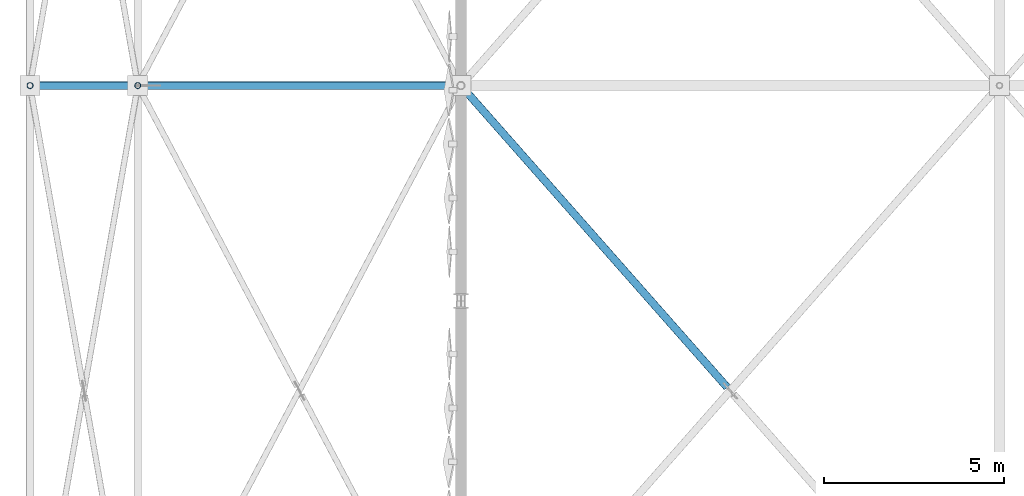
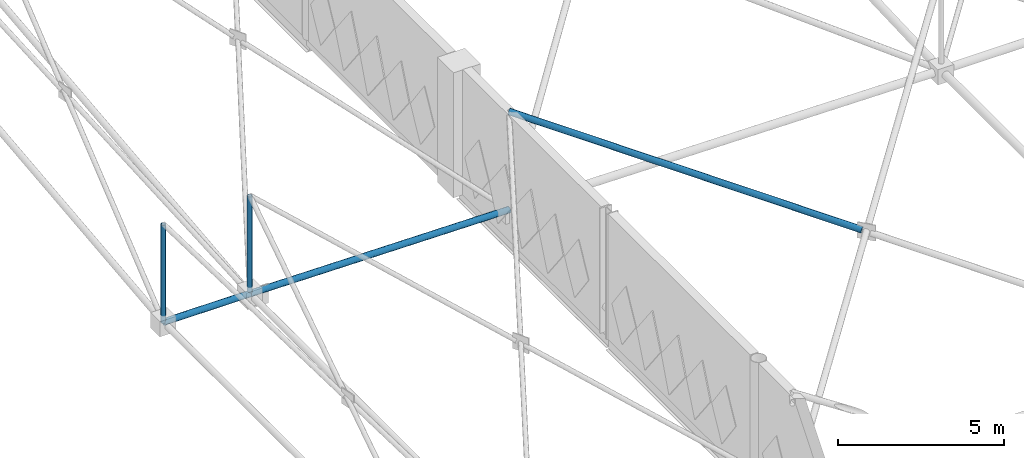
# One storey, part 67 of 224: 5 members.
"""IFC4 building model written with IfcOpenShell, lengths in metres."""

import ifcopenshell
import ifcopenshell.guid

model = None  # the IFC model being written
_history = None  # IfcOwnerHistory: only IFC2X3 demands one
_inside = {}  # id of a spatial element -> (the spatial element, [elements in it])
_under = {}  # id of a project, library or spatial element -> (it, [spatial elements below it])
_declared = {}  # id of a project -> (the project, [libraries it declares])
_typed = {}  # id of a type object -> (the type object, [elements of that type])
_made_of = {}  # id of a material, layer set ... -> (it, [elements and type objects made of it])


def new_model(schema):
    """Start an empty IFC model of exactly this schema.

    Asked for "IFC4X3", IfcOpenShell would pick the latest addendum, in which some entities
    have other attributes; the version numbers below select the first issue.
    IFC2X3 requires an IfcOwnerHistory on every rooted entity: one is made here for all.
    """
    global model, _history
    if schema == "IFC4X3":
        model = ifcopenshell.file(schema_version=(4, 3, 0, 0))
    else:
        model = ifcopenshell.file(schema=schema)
    _inside.clear()
    _under.clear()
    _declared.clear()
    _typed.clear()
    _made_of.clear()
    _history = None
    if model.schema == "IFC2X3":
        org = make("IfcOrganization", Name="unknown")
        user = make(
            "IfcPersonAndOrganization",
            ThePerson=make("IfcPerson", FamilyName="unknown"),
            TheOrganization=org,
        )
        app = make(
            "IfcApplication",
            ApplicationDeveloper=org,
            Version="unknown",
            ApplicationFullName="unknown",
            ApplicationIdentifier="unknown",
        )
        _history = make(
            "IfcOwnerHistory",
            OwningUser=user,
            OwningApplication=app,
            ChangeAction="ADDED",
            CreationDate=0,
        )
    return model


def make(cls, **values):
    """One entity of the class cls with the attributes given. An attribute that is None is left unset."""
    return model.create_entity(
        cls, **{name: value for name, value in values.items() if value is not None}
    )


def rooted(cls, **values):
    """An entity with a GlobalId (a new one), such as an element, a storey or a relation."""
    return make(cls, GlobalId=ifcopenshell.guid.new(), OwnerHistory=_history, **values)


def si_unit(unit_type, name, prefix=None):
    """IfcSIUnit, for example si_unit("LENGTHUNIT", "METRE", prefix="MILLI")."""
    return make("IfcSIUnit", UnitType=unit_type, Prefix=prefix, Name=name)


def assignment(units):
    """IfcUnitAssignment: the units of a project."""
    return None if units is None else make("IfcUnitAssignment", Units=units)


def point(xyz):
    """IfcCartesianPoint."""
    return None if xyz is None else make("IfcCartesianPoint", Coordinates=xyz)


def direction(xyz):
    """IfcDirection."""
    return None if xyz is None else make("IfcDirection", DirectionRatios=xyz)


def frame(location, z_axis=None, x_axis=None):
    """IfcAxis2Placement3D, a coordinate frame: its origin and axes. An axis left out is left unset."""
    return make(
        "IfcAxis2Placement3D",
        Location=point(location),
        Axis=direction(z_axis),
        RefDirection=direction(x_axis),
    )


def frame_2d(location, x_axis=None):
    """IfcAxis2Placement2D, a coordinate frame in the plane: its origin and x axis."""
    return make(
        "IfcAxis2Placement2D", Location=point(location), RefDirection=direction(x_axis)
    )


def origin():
    """The frame at (0, 0, 0) with its axes left unset."""
    return frame((0.0, 0.0, 0.0))


def origin_2d():
    """The frame at (0, 0) in the plane with its x axis left unset."""
    return frame_2d((0.0, 0.0))


def place(relative_to, where):
    """IfcLocalPlacement: puts the frame where relative to a parent placement (None: the world)."""
    return make(
        "IfcLocalPlacement", PlacementRelTo=relative_to, RelativePlacement=where
    )


def context(
    kind, dimensions, precision=None, world=None, true_north=None, identifier=None
):
    """IfcGeometricRepresentationContext, for example the 3D "Model" context."""
    return make(
        "IfcGeometricRepresentationContext",
        ContextIdentifier=identifier,
        ContextType=kind,
        CoordinateSpaceDimension=dimensions,
        Precision=precision,
        WorldCoordinateSystem=world,
        TrueNorth=true_north,
    )


def subcontext(parent, identifier, kind, view, scale=None):
    """IfcGeometricRepresentationSubContext, for example "Body" below "Model"."""
    return make(
        "IfcGeometricRepresentationSubContext",
        ContextIdentifier=identifier,
        ContextType=kind,
        ParentContext=parent,
        TargetScale=scale,
        TargetView=view,
    )


def project(units=None, contexts=None):
    """IfcProject with its units and contexts."""
    return rooted(
        "IfcProject",
        Name="project",
        RepresentationContexts=contexts,
        UnitsInContext=assignment(units),
    )


def spatial(cls, under=None, at=None, **own):
    """A site, building, storey or space (cls), placed at a placement, below another one or the project."""
    s = rooted(cls, ObjectPlacement=at, **own)
    if under is not None:
        _under.setdefault(under.id(), (under, []))[1].append(s)
    return s


def profile(cls, at=None, kind="AREA", **sizes):
    """A parametric profile (cls). Its sizes go by their IFC names, for example OverallWidth=200.0."""
    return make(cls, ProfileType=kind, Position=at, **sizes)


def hollow_circle(**sizes):
    """IfcCircleHollowProfileDef."""
    return profile("IfcCircleHollowProfileDef", **sizes)


def extrude(swept, where, along, depth):
    """IfcExtrudedAreaSolid: the profile swept, set in the frame where, extruded along a direction by depth."""
    return make(
        "IfcExtrudedAreaSolid",
        SweptArea=swept,
        Position=where,
        ExtrudedDirection=direction(along),
        Depth=depth,
    )


def shape(context_of_items, identifier, shape_type, items):
    """IfcShapeRepresentation: the items that make up one representation, for example the "Body"."""
    return make(
        "IfcShapeRepresentation",
        ContextOfItems=context_of_items,
        RepresentationIdentifier=identifier,
        RepresentationType=shape_type,
        Items=items,
    )


def material(Name=None, Category=None):
    """IfcMaterial."""
    return make("IfcMaterial", Name=Name, Category=Category)


def material_profile(
    of_material, cross_section, Name=None, Category=None, Priority=None
):
    """IfcMaterialProfile: a cross section and its material."""
    return make(
        "IfcMaterialProfile",
        Name=Name,
        Material=of_material,
        Profile=cross_section,
        Priority=Priority,
        Category=Category,
    )


def profile_set(profiles, Name=None, composite=None):
    """IfcMaterialProfileSet."""
    return make(
        "IfcMaterialProfileSet",
        Name=Name,
        MaterialProfiles=profiles,
        CompositeProfile=composite,
    )


def made_of(thing, what):
    """Note that an element or type object is made of a material, layer set ...; save() writes the relation."""
    if what is not None:
        _made_of.setdefault(what.id(), (what, []))[1].append(thing)
    return thing


def type_object(cls, material=None, **own):
    """A type object (cls), such as IfcWallType, which elements share."""
    return made_of(rooted(cls, **own), material)


def element(
    cls,
    number,
    at=None,
    inside=None,
    cuts=None,
    type_object=None,
    material=None,
    context=None,
    identifier="Body",
    shape_type=None,
    held_by="IfcProductDefinitionShape",
    body=None,
    shapes=None,
    **own,
):
    """One element of the class cls, such as IfcWall. Its Tag is "e" and its number.

    at: its placement. inside: the storey or other place that contains it. cuts: it is an
    opening in that element (IfcRelVoidsElement). A single representation is given by context,
    identifier, shape_type and body (its items); several are given by shapes. held_by: the class
    of the entity that holds the representations. save() writes the other relations.
    """
    e = rooted(cls, Tag="e%d" % number, ObjectPlacement=at, **own)
    if body is not None:
        shapes = [shape(context, identifier, shape_type, body)]
    if shapes is not None:
        e.Representation = make(held_by, Representations=shapes)
    if inside is not None:
        _inside.setdefault(inside.id(), (inside, []))[1].append(e)
    if cuts is not None:
        rooted(
            "IfcRelVoidsElement", RelatingBuildingElement=cuts, RelatedOpeningElement=e
        )
    if type_object is not None:
        _typed.setdefault(type_object.id(), (type_object, []))[1].append(e)
    return made_of(e, material)


def aggregate(whole, parts):
    """IfcRelAggregates: a whole, such as a stair, and the parts it consists of."""
    return rooted("IfcRelAggregates", RelatingObject=whole, RelatedObjects=parts)


def save(model, path):
    """Write the relations noted so far, then the file.

    IfcRelAggregates (storeys below a building ...), IfcRelContainedInSpatialStructure (elements
    in a storey), IfcRelDefinesByType, IfcRelAssociatesMaterial and IfcRelDeclares: one each for
    every whole, place, type object, material and project.
    """
    for whole, parts in _under.values():
        aggregate(whole, parts)
    for where, things in _inside.values():
        rooted(
            "IfcRelContainedInSpatialStructure",
            RelatedElements=things,
            RelatingStructure=where,
        )
    for kind, things in _typed.values():
        rooted("IfcRelDefinesByType", RelatedObjects=things, RelatingType=kind)
    for what, things in _made_of.values():
        rooted("IfcRelAssociatesMaterial", RelatedObjects=things, RelatingMaterial=what)
    for by, libraries in _declared.values():
        rooted("IfcRelDeclares", RelatingContext=by, RelatedDefinitions=libraries)
    model.write(path)


model = new_model("IFC4")

# Units and contexts
model_context = context("Model", 3, precision=1e-05, world=origin(), true_north=direction((0.0, 1.0)))
body_context = subcontext(model_context, "Body", "Model", "MODEL_VIEW")
ifc_project = project(units=[si_unit("LENGTHUNIT", "METRE"), si_unit("AREAUNIT", "SQUARE_METRE"), si_unit("VOLUMEUNIT", "CUBIC_METRE"), si_unit("PLANEANGLEUNIT", "RADIAN"), si_unit("MASSUNIT", "GRAM", prefix="KILO")], contexts=[model_context])

# Site, building, storey
site_placement = place(None, origin())
site = spatial("IfcSite", under=ifc_project, at=site_placement, CompositionType="ELEMENT")
building_placement = place(site_placement, origin())
building = spatial("IfcBuilding", under=site, at=building_placement, Name="Qamarlyn Nura Convention Centre", CompositionType="ELEMENT")
storey_placement = place(building_placement, frame((0.0, 0.0, 10.800048828125)))
storey = spatial("IfcBuildingStorey", under=building, at=storey_placement, Name="L02", CompositionType="ELEMENT", Elevation=10.800048828125)

# Members
ifc_material = material(Name="Pearl-white PVDF steel ASTM A500 Grade C", Category="steel")
ifc_material_profile_1 = material_profile(ifc_material, hollow_circle(Radius=0.109619140625, WallThickness=0.010009765625, at=origin_2d()), Name="CHS219.1X10")
ifc_profile_set_1 = profile_set([ifc_material_profile_1], Name="Pearl-white PVDF steel ASTM A500 Grade C")
member_type_1 = type_object("IfcMemberType", Name="SF-BC-EAVE", PredefinedType="CHORD", material=ifc_profile_set_1)
member_1_placement = place(storey_placement, frame((-12.0, 69.0, 1.0107421875), z_axis=(0.999998539689, 0.0, -0.001708981879), x_axis=(0.0, 1.0, 0.0)))
element("IfcMember", 1, at=member_1_placement, inside=storey, type_object=member_type_1, Name="ROOF TRUSS space frame bottom chord X0-5", PredefinedType="CHORD", context=body_context, shape_type="SweptSolid", body=[
    extrude(hollow_circle(Radius=0.109619140625, WallThickness=0.010009765625, at=origin_2d()), origin(), (0.0, 0.0, 1.0), 3.0),
])
member_2_placement = place(storey_placement, frame((-9.0, 69.0, 1.005615234375), z_axis=(0.999971155543, 0.0, -0.007595267023), x_axis=(0.0, 1.0, 0.0)))
element("IfcMember", 2, at=member_2_placement, inside=storey, type_object=member_type_1, Name="ROOF TRUSS space frame bottom chord X1-5", PredefinedType="CHORD", context=body_context, shape_type="SweptSolid", body=[
    extrude(hollow_circle(Radius=0.109619140625, WallThickness=0.010009765625, at=origin_2d()), origin(), (0.0, 0.0, 1.0), 9.000244140625),
])
ifc_material_profile_2 = material_profile(ifc_material, hollow_circle(Radius=0.109619140625, WallThickness=0.010009765625, at=origin_2d()), Name="CHS219.1X10")
ifc_profile_set_2 = profile_set([ifc_material_profile_2], Name="Pearl-white PVDF steel ASTM A500 Grade C")
member_type_2 = type_object("IfcMemberType", Name="SF-WEB-HVY", PredefinedType="BRACE", material=ifc_profile_set_2)
member_3_placement = place(storey_placement, frame((7.40869140625, 60.603515625, 2.692138671875), z_axis=(-0.652819152321, 0.739858837627, 0.162591681053), x_axis=(-0.749836582836, -0.661623079284, 0.0)))
element("IfcMember", 3, at=member_3_placement, inside=storey, type_object=member_type_2, Name="ROOF TRUSS space frame split diagonal B2 2-4", PredefinedType="BRACE", context=body_context, shape_type="SweptSolid", body=[
    extrude(hollow_circle(Radius=0.109619140625, WallThickness=0.010009765625, at=origin_2d()), origin(), (0.0, 0.0, 1.0), 11.348876953125),
])
ifc_material_profile_3 = material_profile(ifc_material, hollow_circle(Radius=0.084228515625, WallThickness=0.008056640625, at=origin_2d()), Name="CHS168.3X8")
ifc_profile_set_3 = profile_set([ifc_material_profile_3], Name="Pearl-white PVDF steel ASTM A500 Grade C")
member_type_3 = type_object("IfcMemberType", Name="SF-WEB-STD", PredefinedType="BRACE", material=ifc_profile_set_3)
for number, where, z_axis, x_axis, name in (
    (4, (-12.0, 69.0, 1.0107421875), (0.0, 0.0, 1.0), (1.0, 0.0, 0.0), "ROOF TRUSS space frame vertical 0-5"),
    (5, (-9.0, 69.0, 1.005615234375), (0.0, 0.0, 1.0), (1.0, 0.0, 0.0), "ROOF TRUSS space frame vertical 1-5"),
):
    element("IfcMember", number, at=place(storey_placement, frame(where, z_axis=z_axis, x_axis=x_axis)), inside=storey, type_object=member_type_3, Name=name, PredefinedType="BRACE", context=body_context, shape_type="SweptSolid", body=[
        extrude(hollow_circle(Radius=0.084228515625, WallThickness=0.008056640625, at=origin_2d()), origin(), (0.0, 0.0, 1.0), 3.599853515625),
    ])

save(model, "model.ifc")
